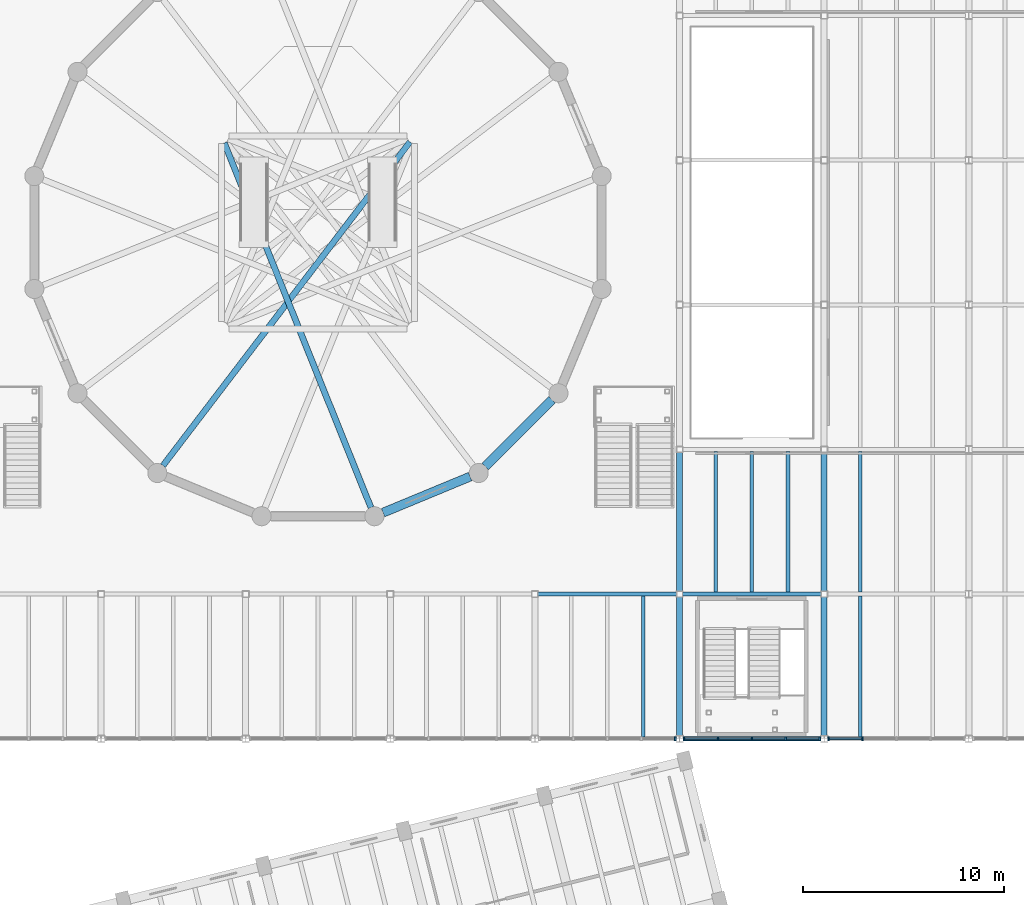
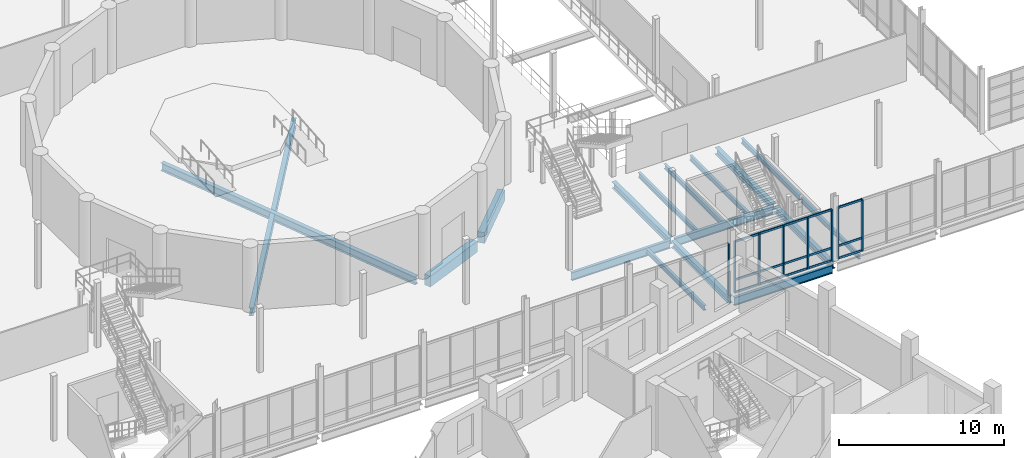
# One storey, part 26 of 77: 23 members, 17 beams, 3 elements without a shape of their own.
"""IFC4 building model written with IfcOpenShell, lengths in metres."""

from ifc_helpers import new_model, si_unit, direction, frame, origin, origin_2d, place, context, subcontext, project, spatial, rectangle, i_section, extrude, material, material_profile, profile_set, type_object, element, aggregate, save


model = new_model("IFC4")

# Units and contexts
model_context = context("Model", 3, precision=1e-05, world=origin(), true_north=direction((0.0, 1.0)))
body_context = subcontext(model_context, "Body", "Model", "MODEL_VIEW")
ifc_project = project(units=[si_unit("LENGTHUNIT", "METRE"), si_unit("AREAUNIT", "SQUARE_METRE"), si_unit("VOLUMEUNIT", "CUBIC_METRE"), si_unit("PLANEANGLEUNIT", "RADIAN"), si_unit("MASSUNIT", "GRAM", prefix="KILO")], contexts=[model_context])

# Site, building, storey
site_placement = place(None, origin())
site = spatial("IfcSite", under=ifc_project, at=site_placement, CompositionType="ELEMENT")
building_placement = place(site_placement, origin())
building = spatial("IfcBuilding", under=site, at=building_placement, Name="Qiaolan Assembly House", CompositionType="ELEMENT")
storey_placement = place(building_placement, frame((0.0, 0.0, 5.39990234375)))
storey = spatial("IfcBuildingStorey", under=building, at=storey_placement, Name="L01", CompositionType="ELEMENT", Elevation=5.39990234375)

# Beams
ifc_material_1 = material(Name="Concrete C40/50", Category="concrete")
ifc_material_profile_1 = material_profile(ifc_material_1, rectangle(XDim=0.449951171875, YDim=0.800048828125, at=origin_2d()), Name="RCB 450x800")
ifc_profile_set_1 = profile_set([ifc_material_profile_1], Name="Concrete C40/50")
beam_type_1 = type_object("IfcBeamType", Name="BM-RC-450x800", PredefinedType="BEAM", material=ifc_profile_set_1)
for number, where, z_axis, x_axis, name in (
    (1, (71.638916015625, 47.254638671875, -0.68994140625), (0.923886734906, 0.382666043782, 0.0), (-0.382666043782, 0.923886734906, 0.0), "GB-03 beam BM-DRUM-L01-12"),
    (2, (76.72900390625, 49.5556640625, -0.68994140625), (0.707106781187, 0.707106781187, 0.0), (-0.707106781187, 0.707106781187, 0.0), "GB-03 beam BM-DRUM-L01-13"),
):
    element("IfcBeam", number, at=place(storey_placement, frame(where, z_axis=z_axis, x_axis=x_axis)), inside=storey, type_object=beam_type_1, Name=name, PredefinedType="BEAM", context=body_context, shape_type="SweptSolid", body=[
        extrude(rectangle(XDim=0.449951171875, YDim=0.800048828125, at=origin_2d()), origin(), (0.0, 0.0, 1.0), 4.688720703125),
    ])
ifc_material_2 = material(Name="Steel Q355B", Category="steel")
ifc_material_profile_2 = material_profile(ifc_material_2, i_section(OverallWidth=0.300048828125, OverallDepth=0.488037109375, WebThickness=0.010986328125, FlangeThickness=0.01806640625, FilletRadius=0.02001953125, at=origin_2d()), Name="HM 488x300x11x18")
ifc_profile_set_2 = profile_set([ifc_material_profile_2], Name="Steel Q355B")
beam_type_2 = type_object("IfcBeamType", Name="BM-STL-HM488", PredefinedType="BEAM", material=ifc_profile_set_2)
beam_1_placement = place(storey_placement, frame((86.39990234375, 36.1650390625, -0.5439453125), z_axis=(0.0, 1.0, 0.0), x_axis=(-1.0, 0.0, 0.0)))
element("IfcBeam", 3, at=beam_1_placement, inside=storey, type_object=beam_type_2, Name="SB-04 beam BMY-HL-L01-09-00", PredefinedType="BEAM", context=body_context, shape_type="SweptSolid", body=[
    extrude(i_section(OverallWidth=0.300048828125, OverallDepth=0.488037109375, WebThickness=0.010986328125, FlangeThickness=0.01806640625, FilletRadius=0.02001953125, at=origin_2d()), origin(), (0.0, 0.0, 1.0), 6.885009765625),
])
beam_2_placement = place(storey_placement, frame((86.39990234375, 43.35009765625, -0.5439453125), z_axis=(0.0, 1.0, 0.0), x_axis=(-1.0, 0.0, 0.0)))
element("IfcBeam", 4, at=beam_2_placement, inside=storey, type_object=beam_type_2, Name="SB-04 beam BMY-HL-L01-09-01", PredefinedType="BEAM", context=body_context, shape_type="SweptSolid", body=[
    extrude(i_section(OverallWidth=0.300048828125, OverallDepth=0.488037109375, WebThickness=0.010986328125, FlangeThickness=0.01806640625, FilletRadius=0.02001953125, at=origin_2d()), origin(), (0.0, 0.0, 1.0), 6.89990234375),
])
beam_3_placement = place(storey_placement, frame((93.60009765625, 36.1650390625, -0.5439453125), z_axis=(0.0, 1.0, 0.0), x_axis=(-1.0, 0.0, 0.0)))
element("IfcBeam", 5, at=beam_3_placement, inside=storey, type_object=beam_type_2, Name="SB-04 beam BMY-HL-L01-10-00", PredefinedType="BEAM", context=body_context, shape_type="SweptSolid", body=[
    extrude(i_section(OverallWidth=0.300048828125, OverallDepth=0.488037109375, WebThickness=0.010986328125, FlangeThickness=0.01806640625, FilletRadius=0.02001953125, at=origin_2d()), origin(), (0.0, 0.0, 1.0), 6.885009765625),
])
beam_4_placement = place(storey_placement, frame((93.60009765625, 43.35009765625, -0.5439453125), z_axis=(0.0, 1.0, 0.0), x_axis=(-1.0, 0.0, 0.0)))
element("IfcBeam", 6, at=beam_4_placement, inside=storey, type_object=beam_type_2, Name="SB-04 beam BMY-HL-L01-10-01", PredefinedType="BEAM", context=body_context, shape_type="SweptSolid", body=[
    extrude(i_section(OverallWidth=0.300048828125, OverallDepth=0.488037109375, WebThickness=0.010986328125, FlangeThickness=0.01806640625, FilletRadius=0.02001953125, at=origin_2d()), origin(), (0.0, 0.0, 1.0), 6.89990234375),
])
ifc_material_profile_3 = material_profile(ifc_material_2, i_section(OverallWidth=0.300048828125, OverallDepth=0.587890625, WebThickness=0.011962890625, FlangeThickness=0.02001953125, FilletRadius=0.02197265625, at=origin_2d()), Name="HM 588x300x12x20")
ifc_profile_set_3 = profile_set([ifc_material_profile_3], Name="Steel Q355B")
beam_type_3 = type_object("IfcBeamType", Name="BM-STL-HM588", PredefinedType="BEAM", material=ifc_profile_set_3)
beam_5_placement = place(storey_placement, frame((72.978515625, 65.7099609375, -0.598876953125), z_axis=(-0.606656693806, -0.794963933685, 0.0), x_axis=(0.794963933685, -0.606656693806, 0.0)))
element("IfcBeam", 7, at=beam_5_placement, inside=storey, type_object=beam_type_3, Name="SB-02 beam BM-UC-RAD-10", PredefinedType="BEAM", context=body_context, shape_type="SweptSolid", body=[
    extrude(i_section(OverallWidth=0.300048828125, OverallDepth=0.587890625, WebThickness=0.011962890625, FlangeThickness=0.02001953125, FilletRadius=0.02197265625, at=origin_2d()), origin(), (0.0, 0.0, 1.0), 20.26953125),
])
beam_6_placement = place(storey_placement, frame((63.736083984375, 65.661376953125, -0.598876953125), z_axis=(0.373085312901, -0.927797041005, 0.0), x_axis=(0.927797041005, 0.373085312901, 0.0)))
element("IfcBeam", 8, at=beam_6_placement, inside=storey, type_object=beam_type_3, Name="SB-02 beam BM-UC-RAD-12", PredefinedType="BEAM", context=body_context, shape_type="SweptSolid", body=[
    extrude(i_section(OverallWidth=0.300048828125, OverallDepth=0.587890625, WebThickness=0.011962890625, FlangeThickness=0.02001953125, FilletRadius=0.02197265625, at=origin_2d()), origin(), (0.0, 0.0, 1.0), 19.566162109375),
])
ifc_material_profile_4 = material_profile(ifc_material_2, i_section(OverallWidth=0.199951171875, OverallDepth=0.60009765625, WebThickness=0.010986328125, FlangeThickness=0.01708984375, FilletRadius=0.02001953125, at=origin_2d()), Name="HN 600x200x11x17")
ifc_profile_set_4 = profile_set([ifc_material_profile_4], Name="Steel Q355B")
beam_type_4 = type_object("IfcBeamType", Name="BM-STL-HN600", PredefinedType="BEAM", material=ifc_profile_set_4)
beam_7_placement = place(storey_placement, frame((86.56494140625, 36.0, -0.599853515625), z_axis=(1.0, 0.0, 0.0), x_axis=(0.0, 1.0, 0.0)))
element("IfcBeam", 9, at=beam_7_placement, inside=storey, type_object=beam_type_4, Name="SB-03 beam BMX-HL-L01-09-00", PredefinedType="BEAM", context=body_context, shape_type="SweptSolid", body=[
    extrude(i_section(OverallWidth=0.199951171875, OverallDepth=0.60009765625, WebThickness=0.010986328125, FlangeThickness=0.01708984375, FilletRadius=0.02001953125, at=origin_2d()), origin(), (0.0, 0.0, 1.0), 6.8701171875),
])
for number, where, z_axis, x_axis, name in (
    (10, (79.35009765625, 43.199951171875, -0.599853515625), (1.0, 0.0, 0.0), (0.0, 1.0, 0.0), "SB-03 beam BMX-HL-L01-08-01"),
    (11, (86.550048828125, 43.199951171875, -0.599853515625), (1.0, 0.0, 0.0), (0.0, 1.0, 0.0), "SB-03 beam BMX-HL-L01-09-01"),
):
    element("IfcBeam", number, at=place(storey_placement, frame(where, z_axis=z_axis, x_axis=x_axis)), inside=storey, type_object=beam_type_4, Name=name, PredefinedType="BEAM", context=body_context, shape_type="SweptSolid", body=[
        extrude(i_section(OverallWidth=0.199951171875, OverallDepth=0.60009765625, WebThickness=0.010986328125, FlangeThickness=0.01708984375, FilletRadius=0.02001953125, at=origin_2d()), origin(), (0.0, 0.0, 1.0), 6.89990234375),
    ])

# Curtain wall, member
ifc_material_3 = material(Name="Anodised bronze aluminium", Category="aluminium")
curtain_wall_type = type_object("IfcCurtainWallType", Name="CW-HALL-UPPER-480", PredefinedType="NOTDEFINED", material=ifc_material_3)
curtain_wall_1_placement = place(storey_placement, origin())
curtain_wall_1 = element("IfcCurtainWall", 12, at=curtain_wall_1_placement, inside=storey, type_object=curtain_wall_type, Name="CW-01 Hall South plaza curtain wall L01-8", PredefinedType="NOTDEFINED")
ifc_material_profile_5 = material_profile(ifc_material_3, rectangle(XDim=0.0859375, YDim=0.199951171875, at=origin_2d()), Name="MUL 86x200")
ifc_profile_set_5 = profile_set([ifc_material_profile_5], Name="Anodised bronze aluminium")
member_type_1 = type_object("IfcMemberType", Name="CW-HALL-UPPER-480-MUL", PredefinedType="MULLION", material=ifc_profile_set_5)
member_1_placement = place(storey_placement, frame((86.179931640625, 36.0, 0.0), z_axis=(0.0, 0.0, 1.0), x_axis=(1.0, 0.0, 0.0)))
member_1 = element("IfcMember", 13, at=member_1_placement, type_object=member_type_1, Name="ML-02 mullion CW-HALL-S-L01-07-5", PredefinedType="MULLION", context=body_context, shape_type="SweptSolid", body=[
    extrude(rectangle(XDim=0.0859375, YDim=0.199951171875, at=origin_2d()), origin(), (0.0, 0.0, 1.0), 3.800048828125),
])
aggregate(curtain_wall_1, [member_1])

# Curtain wall, members
curtain_wall_2_placement = place(storey_placement, origin())
curtain_wall_2 = element("IfcCurtainWall", 14, at=curtain_wall_2_placement, inside=storey, type_object=curtain_wall_type, Name="CW-01 Hall South plaza curtain wall L01-9", PredefinedType="NOTDEFINED")
member_2_placement = place(storey_placement, frame((86.6201171875, 36.0, 0.0), z_axis=(0.0, 0.0, 1.0), x_axis=(1.0, 0.0, 0.0)))
member_2 = element("IfcMember", 15, at=member_2_placement, type_object=member_type_1, Name="ML-02 mullion CW-HALL-S-L01-08-1", PredefinedType="MULLION", context=body_context, shape_type="SweptSolid", body=[
    extrude(rectangle(XDim=0.0859375, YDim=0.199951171875, at=origin_2d()), origin(), (0.0, 0.0, 1.0), 3.800048828125),
])
member_3_placement = place(storey_placement, frame((88.31005859375, 36.0, 0.0), z_axis=(0.0, 0.0, 1.0), x_axis=(1.0, 0.0, 0.0)))
member_3 = element("IfcMember", 16, at=member_3_placement, type_object=member_type_1, Name="ML-02 mullion CW-HALL-S-L01-08-2", PredefinedType="MULLION", context=body_context, shape_type="SweptSolid", body=[
    extrude(rectangle(XDim=0.0859375, YDim=0.199951171875, at=origin_2d()), origin(), (0.0, 0.0, 1.0), 3.800048828125),
])
member_4_placement = place(storey_placement, frame((90.0, 36.0, 0.0), z_axis=(0.0, 0.0, 1.0), x_axis=(1.0, 0.0, 0.0)))
member_4 = element("IfcMember", 17, at=member_4_placement, type_object=member_type_1, Name="ML-02 mullion CW-HALL-S-L01-08-3", PredefinedType="MULLION", context=body_context, shape_type="SweptSolid", body=[
    extrude(rectangle(XDim=0.0859375, YDim=0.199951171875, at=origin_2d()), origin(), (0.0, 0.0, 1.0), 3.800048828125),
])
member_5_placement = place(storey_placement, frame((91.68994140625, 36.0, 0.0), z_axis=(0.0, 0.0, 1.0), x_axis=(1.0, 0.0, 0.0)))
member_5 = element("IfcMember", 18, at=member_5_placement, type_object=member_type_1, Name="ML-02 mullion CW-HALL-S-L01-08-4", PredefinedType="MULLION", context=body_context, shape_type="SweptSolid", body=[
    extrude(rectangle(XDim=0.0859375, YDim=0.199951171875, at=origin_2d()), origin(), (0.0, 0.0, 1.0), 3.800048828125),
])
member_6_placement = place(storey_placement, frame((93.3798828125, 36.0, 0.0), z_axis=(0.0, 0.0, 1.0), x_axis=(1.0, 0.0, 0.0)))
member_6 = element("IfcMember", 19, at=member_6_placement, type_object=member_type_1, Name="ML-02 mullion CW-HALL-S-L01-08-5", PredefinedType="MULLION", context=body_context, shape_type="SweptSolid", body=[
    extrude(rectangle(XDim=0.0859375, YDim=0.199951171875, at=origin_2d()), origin(), (0.0, 0.0, 1.0), 3.800048828125),
])

curtain_wall_3_placement = place(storey_placement, origin())
curtain_wall_3 = element("IfcCurtainWall", 20, at=curtain_wall_3_placement, inside=storey, type_object=curtain_wall_type, Name="CW-01 Hall South plaza curtain wall L01-10", PredefinedType="NOTDEFINED")
member_7_placement = place(storey_placement, frame((93.820068359375, 36.0, 0.0), z_axis=(0.0, 0.0, 1.0), x_axis=(1.0, 0.0, 0.0)))
member_7 = element("IfcMember", 21, at=member_7_placement, type_object=member_type_1, Name="ML-02 mullion CW-HALL-S-L01-09-1", PredefinedType="MULLION", context=body_context, shape_type="SweptSolid", body=[
    extrude(rectangle(XDim=0.0859375, YDim=0.199951171875, at=origin_2d()), origin(), (0.0, 0.0, 1.0), 3.800048828125),
])
member_8_placement = place(storey_placement, frame((95.510009765625, 36.0, 0.0), z_axis=(0.0, 0.0, 1.0), x_axis=(1.0, 0.0, 0.0)))
member_8 = element("IfcMember", 22, at=member_8_placement, type_object=member_type_1, Name="ML-02 mullion CW-HALL-S-L01-09-2", PredefinedType="MULLION", context=body_context, shape_type="SweptSolid", body=[
    extrude(rectangle(XDim=0.0859375, YDim=0.199951171875, at=origin_2d()), origin(), (0.0, 0.0, 1.0), 3.800048828125),
])

# Member
ifc_material_profile_6 = material_profile(ifc_material_3, rectangle(XDim=0.075927734375, YDim=0.14990234375, at=origin_2d()), Name="TRN 76x150")
ifc_profile_set_6 = profile_set([ifc_material_profile_6], Name="Anodised bronze aluminium")
member_type_2 = type_object("IfcMemberType", Name="CW-HALL-UPPER-480-TRN", PredefinedType="USERDEFINED", material=ifc_profile_set_6)
member_9_placement = place(storey_placement, frame((86.6630859375, 36.0, 0.030029296875), z_axis=(1.0, 0.0, 0.0), x_axis=(0.0, 1.0, 0.0)))
member_9 = element("IfcMember", 23, at=member_9_placement, type_object=member_type_2, Name="TR-02 transom CW-HALL-S-L01-08-1-1", ObjectType="TRANSOM", PredefinedType="USERDEFINED", context=body_context, shape_type="SweptSolid", body=[
    extrude(rectangle(XDim=0.075927734375, YDim=0.14990234375, at=origin_2d()), origin(), (0.0, 0.0, 1.0), 1.60400390625),
])

member_10_placement = place(storey_placement, frame((86.6630859375, 36.0, 0.9501953125), z_axis=(1.0, 0.0, 0.0), x_axis=(0.0, 1.0, 0.0)))
member_10 = element("IfcMember", 24, at=member_10_placement, type_object=member_type_2, Name="TR-02 transom CW-HALL-S-L01-08-1-2", ObjectType="TRANSOM", PredefinedType="USERDEFINED", context=body_context, shape_type="SweptSolid", body=[
    extrude(rectangle(XDim=0.075927734375, YDim=0.14990234375, at=origin_2d()), origin(), (0.0, 0.0, 1.0), 1.60400390625),
])

member_11_placement = place(storey_placement, frame((86.6630859375, 36.0, 3.77001953125), z_axis=(1.0, 0.0, 0.0), x_axis=(0.0, 1.0, 0.0)))
member_11 = element("IfcMember", 25, at=member_11_placement, type_object=member_type_2, Name="TR-02 transom CW-HALL-S-L01-08-1-3", ObjectType="TRANSOM", PredefinedType="USERDEFINED", context=body_context, shape_type="SweptSolid", body=[
    extrude(rectangle(XDim=0.075927734375, YDim=0.14990234375, at=origin_2d()), origin(), (0.0, 0.0, 1.0), 1.60400390625),
])

member_12_placement = place(storey_placement, frame((88.35302734375, 36.0, 0.030029296875), z_axis=(1.0, 0.0, 0.0), x_axis=(0.0, 1.0, 0.0)))
member_12 = element("IfcMember", 26, at=member_12_placement, type_object=member_type_2, Name="TR-02 transom CW-HALL-S-L01-08-2-1", ObjectType="TRANSOM", PredefinedType="USERDEFINED", context=body_context, shape_type="SweptSolid", body=[
    extrude(rectangle(XDim=0.075927734375, YDim=0.14990234375, at=origin_2d()), origin(), (0.0, 0.0, 1.0), 1.60400390625),
])

member_13_placement = place(storey_placement, frame((88.35302734375, 36.0, 0.9501953125), z_axis=(1.0, 0.0, 0.0), x_axis=(0.0, 1.0, 0.0)))
member_13 = element("IfcMember", 27, at=member_13_placement, type_object=member_type_2, Name="TR-02 transom CW-HALL-S-L01-08-2-2", ObjectType="TRANSOM", PredefinedType="USERDEFINED", context=body_context, shape_type="SweptSolid", body=[
    extrude(rectangle(XDim=0.075927734375, YDim=0.14990234375, at=origin_2d()), origin(), (0.0, 0.0, 1.0), 1.60400390625),
])

member_14_placement = place(storey_placement, frame((88.35302734375, 36.0, 3.77001953125), z_axis=(1.0, 0.0, 0.0), x_axis=(0.0, 1.0, 0.0)))
member_14 = element("IfcMember", 28, at=member_14_placement, type_object=member_type_2, Name="TR-02 transom CW-HALL-S-L01-08-2-3", ObjectType="TRANSOM", PredefinedType="USERDEFINED", context=body_context, shape_type="SweptSolid", body=[
    extrude(rectangle(XDim=0.075927734375, YDim=0.14990234375, at=origin_2d()), origin(), (0.0, 0.0, 1.0), 1.60400390625),
])

member_15_placement = place(storey_placement, frame((90.04296875, 36.0, 0.030029296875), z_axis=(1.0, 0.0, 0.0), x_axis=(0.0, 1.0, 0.0)))
member_15 = element("IfcMember", 29, at=member_15_placement, type_object=member_type_2, Name="TR-02 transom CW-HALL-S-L01-08-3-1", ObjectType="TRANSOM", PredefinedType="USERDEFINED", context=body_context, shape_type="SweptSolid", body=[
    extrude(rectangle(XDim=0.075927734375, YDim=0.14990234375, at=origin_2d()), origin(), (0.0, 0.0, 1.0), 1.60400390625),
])

member_16_placement = place(storey_placement, frame((90.04296875, 36.0, 0.9501953125), z_axis=(1.0, 0.0, 0.0), x_axis=(0.0, 1.0, 0.0)))
member_16 = element("IfcMember", 30, at=member_16_placement, type_object=member_type_2, Name="TR-02 transom CW-HALL-S-L01-08-3-2", ObjectType="TRANSOM", PredefinedType="USERDEFINED", context=body_context, shape_type="SweptSolid", body=[
    extrude(rectangle(XDim=0.075927734375, YDim=0.14990234375, at=origin_2d()), origin(), (0.0, 0.0, 1.0), 1.60400390625),
])

member_17_placement = place(storey_placement, frame((90.04296875, 36.0, 3.77001953125), z_axis=(1.0, 0.0, 0.0), x_axis=(0.0, 1.0, 0.0)))
member_17 = element("IfcMember", 31, at=member_17_placement, type_object=member_type_2, Name="TR-02 transom CW-HALL-S-L01-08-3-3", ObjectType="TRANSOM", PredefinedType="USERDEFINED", context=body_context, shape_type="SweptSolid", body=[
    extrude(rectangle(XDim=0.075927734375, YDim=0.14990234375, at=origin_2d()), origin(), (0.0, 0.0, 1.0), 1.60400390625),
])

member_18_placement = place(storey_placement, frame((91.73291015625, 36.0, 0.030029296875), z_axis=(1.0, 0.0, 0.0), x_axis=(0.0, 1.0, 0.0)))
member_18 = element("IfcMember", 32, at=member_18_placement, type_object=member_type_2, Name="TR-02 transom CW-HALL-S-L01-08-4-1", ObjectType="TRANSOM", PredefinedType="USERDEFINED", context=body_context, shape_type="SweptSolid", body=[
    extrude(rectangle(XDim=0.075927734375, YDim=0.14990234375, at=origin_2d()), origin(), (0.0, 0.0, 1.0), 1.60400390625),
])

member_19_placement = place(storey_placement, frame((91.73291015625, 36.0, 0.9501953125), z_axis=(1.0, 0.0, 0.0), x_axis=(0.0, 1.0, 0.0)))
member_19 = element("IfcMember", 33, at=member_19_placement, type_object=member_type_2, Name="TR-02 transom CW-HALL-S-L01-08-4-2", ObjectType="TRANSOM", PredefinedType="USERDEFINED", context=body_context, shape_type="SweptSolid", body=[
    extrude(rectangle(XDim=0.075927734375, YDim=0.14990234375, at=origin_2d()), origin(), (0.0, 0.0, 1.0), 1.60400390625),
])

member_20_placement = place(storey_placement, frame((91.73291015625, 36.0, 3.77001953125), z_axis=(1.0, 0.0, 0.0), x_axis=(0.0, 1.0, 0.0)))
member_20 = element("IfcMember", 34, at=member_20_placement, type_object=member_type_2, Name="TR-02 transom CW-HALL-S-L01-08-4-3", ObjectType="TRANSOM", PredefinedType="USERDEFINED", context=body_context, shape_type="SweptSolid", body=[
    extrude(rectangle(XDim=0.075927734375, YDim=0.14990234375, at=origin_2d()), origin(), (0.0, 0.0, 1.0), 1.60400390625),
])

aggregate(curtain_wall_2, [member_2, member_3, member_4, member_5, member_6, member_9, member_10, member_11, member_12, member_13, member_14, member_15, member_16, member_17, member_18, member_19, member_20])

member_21_placement = place(storey_placement, frame((93.863037109375, 36.0, 0.030029296875), z_axis=(1.0, 0.0, 0.0), x_axis=(0.0, 1.0, 0.0)))
member_21 = element("IfcMember", 35, at=member_21_placement, type_object=member_type_2, Name="TR-02 transom CW-HALL-S-L01-09-1-1", ObjectType="TRANSOM", PredefinedType="USERDEFINED", context=body_context, shape_type="SweptSolid", body=[
    extrude(rectangle(XDim=0.075927734375, YDim=0.14990234375, at=origin_2d()), origin(), (0.0, 0.0, 1.0), 1.60400390625),
])

member_22_placement = place(storey_placement, frame((93.863037109375, 36.0, 0.9501953125), z_axis=(1.0, 0.0, 0.0), x_axis=(0.0, 1.0, 0.0)))
member_22 = element("IfcMember", 36, at=member_22_placement, type_object=member_type_2, Name="TR-02 transom CW-HALL-S-L01-09-1-2", ObjectType="TRANSOM", PredefinedType="USERDEFINED", context=body_context, shape_type="SweptSolid", body=[
    extrude(rectangle(XDim=0.075927734375, YDim=0.14990234375, at=origin_2d()), origin(), (0.0, 0.0, 1.0), 1.60400390625),
])

member_23_placement = place(storey_placement, frame((93.863037109375, 36.0, 3.77001953125), z_axis=(1.0, 0.0, 0.0), x_axis=(0.0, 1.0, 0.0)))
member_23 = element("IfcMember", 37, at=member_23_placement, type_object=member_type_2, Name="TR-02 transom CW-HALL-S-L01-09-1-3", ObjectType="TRANSOM", PredefinedType="USERDEFINED", context=body_context, shape_type="SweptSolid", body=[
    extrude(rectangle(XDim=0.075927734375, YDim=0.14990234375, at=origin_2d()), origin(), (0.0, 0.0, 1.0), 1.60400390625),
])

aggregate(curtain_wall_3, [member_7, member_8, member_21, member_22, member_23])

# Beams
ifc_material_profile_7 = material_profile(ifc_material_2, i_section(OverallWidth=0.179931640625, OverallDepth=0.360107421875, WebThickness=0.008056640625, FlangeThickness=0.011962890625, FilletRadius=0.013916015625, at=origin_2d()), Name="HN 360x180x8x12")
ifc_profile_set_7 = profile_set([ifc_material_profile_7], Name="Steel Q355B")
beam_type_5 = type_object("IfcBeamType", Name="JST-STL-HN360", PredefinedType="JOIST", material=ifc_profile_set_7)
for number, where, z_axis, x_axis, name in (
    (38, (84.60009765625, 36.093994140625, -0.47998046875), (0.0, 1.0, 0.0), (-1.0, 0.0, 0.0), "SJ-06 beam JST-HL-L01-08-00-3"),
    (39, (88.199951171875, 43.2939453125, -0.47998046875), (0.0, 1.0, 0.0), (-1.0, 0.0, 0.0), "SJ-06 beam JST-HL-L01-09-01-1"),
    (40, (90.0, 43.2939453125, -0.47998046875), (0.0, 1.0, 0.0), (-1.0, 0.0, 0.0), "SJ-06 beam JST-HL-L01-09-01-2"),
    (41, (91.800048828125, 43.2939453125, -0.47998046875), (0.0, 1.0, 0.0), (-1.0, 0.0, 0.0), "SJ-06 beam JST-HL-L01-09-01-3"),
    (42, (95.39990234375, 36.093994140625, -0.47998046875), (0.0, 1.0, 0.0), (-1.0, 0.0, 0.0), "SJ-06 beam JST-HL-L01-10-00-1"),
    (43, (95.39990234375, 43.2939453125, -0.47998046875), (0.0, 1.0, 0.0), (-1.0, 0.0, 0.0), "SJ-06 beam JST-HL-L01-10-01-1"),
):
    element("IfcBeam", number, at=place(storey_placement, frame(where, z_axis=z_axis, x_axis=x_axis)), inside=storey, type_object=beam_type_5, Name=name, PredefinedType="JOIST", context=body_context, shape_type="SweptSolid", body=[
        extrude(i_section(OverallWidth=0.179931640625, OverallDepth=0.360107421875, WebThickness=0.008056640625, FlangeThickness=0.011962890625, FilletRadius=0.013916015625, at=origin_2d()), origin(), (0.0, 0.0, 1.0), 7.011962890625),
    ])

save(model, "model.ifc")
